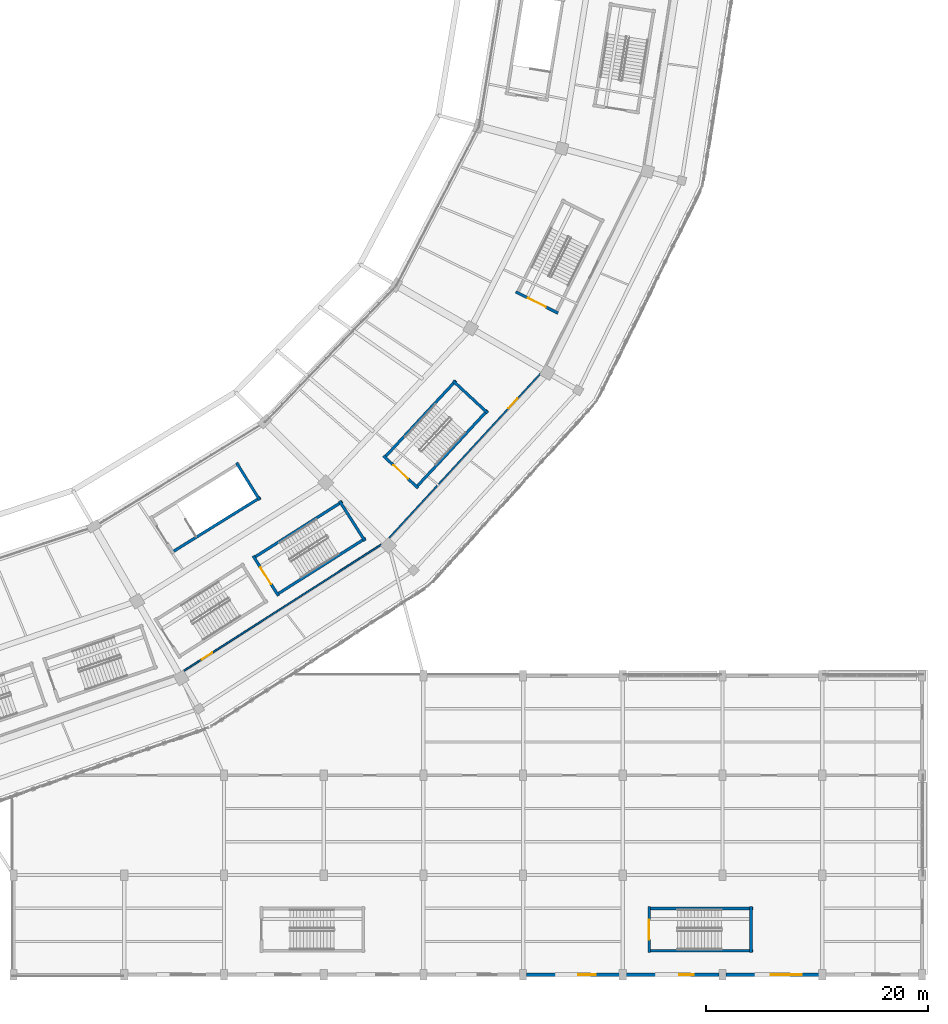
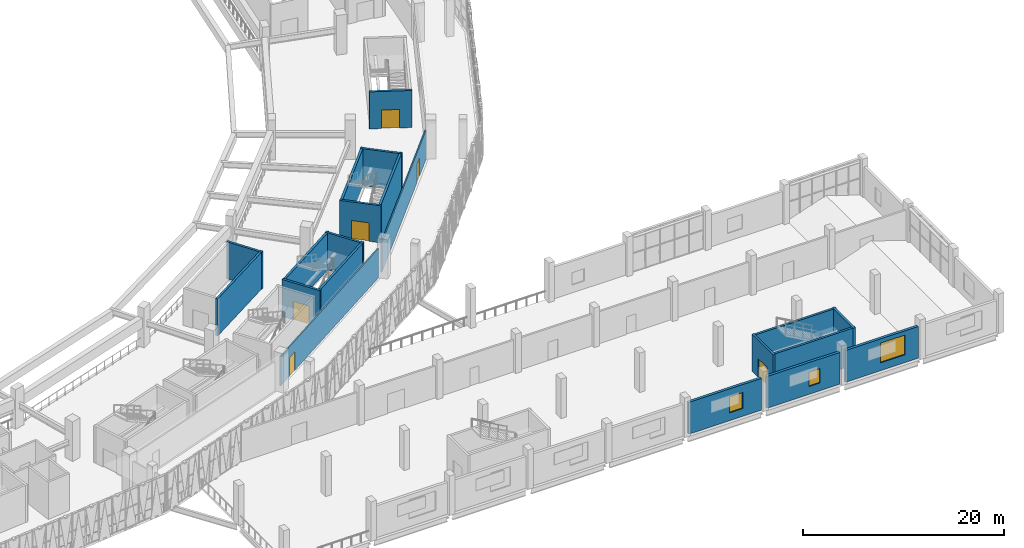
# One storey, part 103 of 179: 20 walls, 6 doors, 3 windows, 9 openings.
"""IFC4 building model written with IfcOpenShell, lengths in metres."""

from ifc_helpers import new_model, si_unit, direction, frame, frame_2d, origin, place, context, subcontext, project, spatial, rectangle, extrude, material, layer, layer_set, type_object, element, fill, save


model = new_model("IFC4")

# Units and contexts
model_context = context("Model", 3, precision=1e-05, world=origin(), true_north=direction((0.0, 1.0)))
body_context = subcontext(model_context, "Body", "Model", "MODEL_VIEW")
ifc_project = project(units=[si_unit("LENGTHUNIT", "METRE"), si_unit("AREAUNIT", "SQUARE_METRE"), si_unit("VOLUMEUNIT", "CUBIC_METRE"), si_unit("PLANEANGLEUNIT", "RADIAN"), si_unit("MASSUNIT", "GRAM", prefix="KILO")], contexts=[model_context])

# Site, building, storey
site_placement = place(None, origin())
site = spatial("IfcSite", under=ifc_project, at=site_placement, CompositionType="ELEMENT")
building_placement = place(site_placement, origin())
building = spatial("IfcBuilding", under=site, at=building_placement, Name="Zevraka Park Crest Stadium", CompositionType="ELEMENT")
storey_placement = place(building_placement, frame((0.0, 0.0, 10.199951171875)))
storey = spatial("IfcBuildingStorey", under=building, at=storey_placement, Name="L02", CompositionType="ELEMENT", Elevation=10.199951171875)

# Wall, opening, window
ifc_material_1 = material(Name="Limestone and red clay brick masonry", Category="masonry")
ifc_layer_1 = layer(ifc_material_1, 0.300048828125)
ifc_layer_set_1 = layer_set([ifc_layer_1], Name="Limestone and red clay brick masonry")
wall_type_1 = type_object("IfcWallType", Name="EW02", PredefinedType="STANDARD", material=ifc_layer_set_1)
wall_1_placement = place(storey_placement, frame((214.699951171875, 0.0, 0.0), z_axis=(0.0, 0.0, 1.0), x_axis=(-1.0, 0.0, 0.0)))
wall_1 = element("IfcWall", 1, at=wall_1_placement, inside=storey, type_object=wall_type_1, Name="Wing External Cavity Wall EW02 L02-SE-S1-2", PredefinedType="STANDARD", context=body_context, shape_type="SweptSolid", body=[
    extrude(rectangle(XDim=8.39990234375, YDim=0.300048828125, at=frame_2d((4.199951171875, 0.0))), origin(), (0.0, 0.0, 1.0), 3.85498046875),
])
opening_1_placement = place(wall_1_placement, frame((1.5400390625, 0.0, 0.949951171875)))
opening_1 = element("IfcOpeningElement", 2, at=opening_1_placement, cuts=wall_1, Name="Opening WN30", PredefinedType="OPENING", context=body_context, shape_type="SweptSolid", body=[
    extrude(rectangle(XDim=2.800048828125, YDim=2.39990234375, at=frame_2d((1.39990234375, 1.199951171875))), frame((0.0, 0.159912109375, 0.0), z_axis=(0.0, -1.0, 0.0), x_axis=(1.0, 0.0, 0.0)), (0.0, 0.0, 1.0), 0.320068359375),
])
ifc_material_2 = material(Name="Solar-control laminated double glazing in aluminium frame", Category="aluminium")
window_type_1 = type_object("IfcWindowType", Name="WN30", PartitioningType="SINGLE_PANEL", PredefinedType="WINDOW", material=ifc_material_2)
window_1_placement = place(opening_1_placement, origin())
window_1 = element("IfcWindow", 3, at=window_1_placement, inside=storey, type_object=window_type_1, Name="Facade Casement Window WN30 W-L02-112", OverallHeight=2.39990234375, OverallWidth=2.800048828125, PartitioningType="SINGLE_PANEL", PredefinedType="WINDOW", context=body_context, shape_type="SweptSolid", body=[
    extrude(rectangle(XDim=2.800048828125, YDim=2.39990234375, at=frame_2d((1.39990234375, 1.199951171875))), frame((0.0, 0.030029296875, 0.0), z_axis=(0.0, -1.0, 0.0), x_axis=(1.0, 0.0, 0.0)), (0.0, 0.0, 1.0), 0.06005859375),
])
fill(opening_1, window_1)

wall_2_placement = place(storey_placement, frame((205.699951171875, 0.0, 0.0), z_axis=(0.0, 0.0, 1.0), x_axis=(-1.0, 0.0, 0.0)))
wall_2 = element("IfcWall", 4, at=wall_2_placement, inside=storey, type_object=wall_type_1, Name="Wing External Cavity Wall EW02 L02-SE-S1-3", PredefinedType="STANDARD", context=body_context, shape_type="SweptSolid", body=[
    extrude(rectangle(XDim=8.39990234375, YDim=0.300048828125, at=frame_2d((4.199951171875, 0.0))), origin(), (0.0, 0.0, 1.0), 3.85498046875),
])
opening_2_placement = place(wall_2_placement, frame((2.2900390625, 0.0, 0.949951171875)))
opening_2 = element("IfcOpeningElement", 5, at=opening_2_placement, cuts=wall_2, Name="Opening WN31", PredefinedType="OPENING", context=body_context, shape_type="SweptSolid", body=[
    extrude(rectangle(XDim=1.300048828125, YDim=1.75, at=frame_2d((0.64990234375, 0.875))), frame((0.0, 0.159912109375, 0.0), z_axis=(0.0, -1.0, 0.0), x_axis=(1.0, 0.0, 0.0)), (0.0, 0.0, 1.0), 0.320068359375),
])
ifc_material_3 = material(Name="Solar-control laminated double glazing in aluminium frame", Category="aluminium")
window_type_2 = type_object("IfcWindowType", Name="WN31", PartitioningType="SINGLE_PANEL", PredefinedType="WINDOW", material=ifc_material_3)
window_2_placement = place(opening_2_placement, origin())
window_2 = element("IfcWindow", 6, at=window_2_placement, inside=storey, type_object=window_type_2, Name="Facade Casement Window WN31 W-L02-113", OverallHeight=1.75, OverallWidth=1.300048828125, PartitioningType="SINGLE_PANEL", PredefinedType="WINDOW", context=body_context, shape_type="SweptSolid", body=[
    extrude(rectangle(XDim=1.300048828125, YDim=1.75, at=frame_2d((0.64990234375, 0.875))), frame((0.0, 0.030029296875, 0.0), z_axis=(0.0, -1.0, 0.0), x_axis=(1.0, 0.0, 0.0)), (0.0, 0.0, 1.0), 0.06005859375),
])
fill(opening_2, window_2)

wall_3_placement = place(storey_placement, frame((196.699951171875, 0.0, 0.0), z_axis=(0.0, 0.0, 1.0), x_axis=(-1.0, 0.0, 0.0)))
wall_3 = element("IfcWall", 7, at=wall_3_placement, inside=storey, type_object=wall_type_1, Name="Wing External Cavity Wall EW02 L02-SE-S1-4", PredefinedType="STANDARD", context=body_context, shape_type="SweptSolid", body=[
    extrude(rectangle(XDim=8.39990234375, YDim=0.300048828125, at=frame_2d((4.199951171875, 0.0))), origin(), (0.0, 0.0, 1.0), 3.85498046875),
])
opening_3_placement = place(wall_3_placement, frame((2.1650390625, 0.0, 0.949951171875)))
opening_3 = element("IfcOpeningElement", 8, at=opening_3_placement, cuts=wall_3, Name="Opening WN32", PredefinedType="OPENING", context=body_context, shape_type="SweptSolid", body=[
    extrude(rectangle(XDim=1.550048828125, YDim=1.949951171875, at=frame_2d((0.77490234375, 0.97509765625))), frame((0.0, 0.159912109375, 0.0), z_axis=(0.0, -1.0, 0.0), x_axis=(1.0, 0.0, 0.0)), (0.0, 0.0, 1.0), 0.320068359375),
])
ifc_material_4 = material(Name="Solar-control laminated double glazing in aluminium frame", Category="aluminium")
window_type_3 = type_object("IfcWindowType", Name="WN32", PartitioningType="SINGLE_PANEL", PredefinedType="WINDOW", material=ifc_material_4)
window_3_placement = place(opening_3_placement, origin())
window_3 = element("IfcWindow", 9, at=window_3_placement, inside=storey, type_object=window_type_3, Name="Facade Casement Window WN32 W-L02-114", OverallHeight=1.949951171875, OverallWidth=1.550048828125, PartitioningType="SINGLE_PANEL", PredefinedType="WINDOW", context=body_context, shape_type="SweptSolid", body=[
    extrude(rectangle(XDim=1.550048828125, YDim=1.949951171875, at=frame_2d((0.77490234375, 0.97509765625))), frame((0.0, 0.030029296875, 0.0), z_axis=(0.0, -1.0, 0.0), x_axis=(1.0, 0.0, 0.0)), (0.0, 0.0, 1.0), 0.06005859375),
])
fill(opening_3, window_3)

# Wall, opening, door
ifc_material_5 = material(Name="Fire-rated twin-stud acoustic drywall", Category="other")
ifc_layer_2 = layer(ifc_material_5, 0.139892578125)
ifc_layer_set_2 = layer_set([ifc_layer_2], Name="Fire-rated twin-stud acoustic drywall")
wall_type_2 = type_object("IfcWallType", Name="IW03", PredefinedType="PARTITIONING", material=ifc_layer_set_2)
wall_4_placement = place(storey_placement, frame((157.3701171875, 27.427001953125, 0.0), z_axis=(0.0, 0.0, 1.0), x_axis=(0.842559137296, 0.538603843431, 0.0)))
wall_4 = element("IfcWall", 10, at=wall_4_placement, inside=storey, type_object=wall_type_2, Name="Interior Partition IW03 Stadium Administration Office L02", PredefinedType="PARTITIONING", context=body_context, shape_type="SweptSolid", body=[
    extrude(rectangle(XDim=21.163818359375, YDim=0.139892578125, at=frame_2d((10.58203125, 0.0))), origin(), (0.0, 0.0, 1.0), 3.56494140625),
])
opening_4_placement = place(wall_4_placement, frame((1.925048828125, 0.0, 0.0)))
opening_4 = element("IfcOpeningElement", 11, at=opening_4_placement, cuts=wall_4, Name="Opening D-L02-414", PredefinedType="OPENING", context=body_context, shape_type="SweptSolid", body=[
    extrude(rectangle(XDim=1.1201171875, YDim=2.25, at=frame_2d((0.56005859375, 1.125))), frame((0.0, 0.079833984375, 0.0), z_axis=(0.0, -1.0, 0.0), x_axis=(1.0, 0.0, 0.0)), (0.0, 0.0, 1.0), 0.159912109375),
])
ifc_material_6 = material(Name="Solid-core hardwood timber leaf in steel frame", Category="steel")
door_type_1 = type_object("IfcDoorType", Name="DR23", OperationType="NOTDEFINED", PredefinedType="DOOR", material=ifc_material_6)
door_1_placement = place(opening_4_placement, origin())
door_1 = element("IfcDoor", 12, at=door_1_placement, inside=storey, type_object=door_type_1, Name="Stadium Administration Office Door D-L02-414", OperationType="SINGLE_SWING_RIGHT", OverallHeight=2.25, OverallWidth=1.1201171875, PredefinedType="DOOR", context=body_context, shape_type="SweptSolid", body=[
    extrude(rectangle(XDim=1.1201171875, YDim=2.25, at=frame_2d((0.56005859375, 1.125))), frame((0.0, 0.02490234375, 0.0), z_axis=(0.0, -1.0, 0.0), x_axis=(1.0, 0.0, 0.0)), (0.0, 0.0, 1.0), 0.050048828125),
])
fill(opening_4, door_1)

wall_5_placement = place(storey_placement, frame((175.90087890625, 39.427001953125, 0.0), z_axis=(0.0, 0.0, 1.0), x_axis=(0.677448860536, 0.735569875239, 0.0)))
wall_5 = element("IfcWall", 13, at=wall_5_placement, inside=storey, type_object=wall_type_2, Name="Interior Partition IW03 Stadium Administration Office L02", PredefinedType="PARTITIONING", context=body_context, shape_type="SweptSolid", body=[
    extrude(rectangle(XDim=20.16259765625, YDim=0.139892578125, at=frame_2d((10.081298828125, 0.0))), origin(), (0.0, 0.0, 1.0), 3.56494140625),
])
opening_5_placement = place(wall_5_placement, frame((15.909912109375, 0.0, 0.0)))
opening_5 = element("IfcOpeningElement", 14, at=opening_5_placement, cuts=wall_5, Name="Opening D-L02-415", PredefinedType="OPENING", context=body_context, shape_type="SweptSolid", body=[
    extrude(rectangle(XDim=1.179931640625, YDim=2.25, at=frame_2d((0.58984375, 1.125))), frame((0.0, 0.079833984375, 0.0), z_axis=(0.0, -1.0, 0.0), x_axis=(1.0, 0.0, 0.0)), (0.0, 0.0, 1.0), 0.159912109375),
])
ifc_material_7 = material(Name="Solid-core hardwood timber leaf in steel frame", Category="steel")
door_type_2 = type_object("IfcDoorType", Name="DR24", OperationType="NOTDEFINED", PredefinedType="DOOR", material=ifc_material_7)
door_2_placement = place(opening_5_placement, origin())
door_2 = element("IfcDoor", 15, at=door_2_placement, inside=storey, type_object=door_type_2, Name="Stadium Administration Office Door D-L02-415", OperationType="SINGLE_SWING_LEFT", OverallHeight=2.25, OverallWidth=1.179931640625, PredefinedType="DOOR", context=body_context, shape_type="SweptSolid", body=[
    extrude(rectangle(XDim=1.179931640625, YDim=2.25, at=frame_2d((0.58984375, 1.125))), frame((0.0, 0.02490234375, 0.0), z_axis=(0.0, -1.0, 0.0), x_axis=(1.0, 0.0, 0.0)), (0.0, 0.0, 1.0), 0.050048828125),
])
fill(opening_5, door_2)

# Walls
ifc_material_8 = material(Name="Concrete C40/50", Category="concrete")
ifc_layer_3 = layer(ifc_material_8, 0.25)
ifc_layer_set_3 = layer_set([ifc_layer_3], Name="Concrete C40/50")
wall_type_3 = type_object("IfcWallType", Name="SW01", PredefinedType="SHEAR", material=ifc_layer_set_3)
wall_6_placement = place(storey_placement, frame((178.3056640625, 43.952392578125, 0.0), z_axis=(0.0, 0.0, 1.0), x_axis=(0.680257902718, 0.7329728411, 0.0)))
element("IfcWall", 16, at=wall_6_placement, inside=storey, type_object=wall_type_3, Name="Stair Core Shear Wall SW01 ST22 L02 left", PredefinedType="SHEAR", context=body_context, shape_type="SweptSolid", body=[
    extrude(rectangle(XDim=9.5498046875, YDim=0.25, at=frame_2d((4.77490234375, 0.0))), origin(), (0.0, 0.0, 1.0), 4.5),
])
wall_7_placement = place(storey_placement, frame((181.9287109375, 53.618896484375, 0.0), z_axis=(0.0, 0.0, 1.0), x_axis=(-0.680245155897, -0.732984670971, 0.0)))
element("IfcWall", 17, at=wall_7_placement, inside=storey, type_object=wall_type_3, Name="Stair Core Shear Wall SW01 ST22 L02 right", PredefinedType="SHEAR", context=body_context, shape_type="SweptSolid", body=[
    extrude(rectangle(XDim=9.550048828125, YDim=0.25, at=frame_2d((4.77490234375, 0.0))), origin(), (0.0, 0.0, 1.0), 4.5),
])

# Wall, opening, door
wall_8_placement = place(storey_placement, frame((175.392822265625, 46.826171875, 0.0), z_axis=(0.0, 0.0, 1.0), x_axis=(0.73295064559, -0.680281817433, 0.0)))
wall_8 = element("IfcWall", 18, at=wall_8_placement, inside=storey, type_object=wall_type_3, Name="Stair Core Shear Wall SW01 ST22 L02 near", PredefinedType="SHEAR", context=body_context, shape_type="SweptSolid", body=[
    extrude(rectangle(XDim=4.260009765625, YDim=0.25, at=frame_2d((2.1298828125, 0.0))), origin(), (0.0, 0.0, 1.0), 4.5),
])
opening_6_placement = place(wall_8_placement, frame((1.22998046875, 0.0, 0.0)))
opening_6 = element("IfcOpeningElement", 19, at=opening_6_placement, cuts=wall_8, Name="Opening D-L02-132", PredefinedType="OPENING", context=body_context, shape_type="SweptSolid", body=[
    extrude(rectangle(XDim=1.800048828125, YDim=2.25, at=frame_2d((0.89990234375, 1.125))), frame((0.0, 0.135009765625, 0.0), z_axis=(0.0, -1.0, 0.0), x_axis=(1.0, 0.0, 0.0)), (0.0, 0.0, 1.0), 0.27001953125),
])
ifc_material_9 = material(Name="Solid-core hardwood timber leaf in steel frame", Category="steel")
door_type_3 = type_object("IfcDoorType", Name="DR04", OperationType="NOTDEFINED", PredefinedType="DOOR", material=ifc_material_9)
door_3_placement = place(opening_6_placement, origin())
door_3 = element("IfcDoor", 20, at=door_3_placement, inside=storey, type_object=door_type_3, Name="Protected Stair Entry Door ST22 L02", OperationType="DOUBLE_DOOR_SINGLE_SWING", OverallHeight=2.25, OverallWidth=1.800048828125, PredefinedType="DOOR", context=body_context, shape_type="SweptSolid", body=[
    extrude(rectangle(XDim=1.800048828125, YDim=2.25, at=frame_2d((0.89990234375, 1.125))), frame((0.0, 0.02490234375, 0.0), z_axis=(0.0, -1.0, 0.0), x_axis=(1.0, 0.0, 0.0)), (0.0, 0.0, 1.0), 0.050048828125),
])
fill(opening_6, door_3)

# Wall
wall_9_placement = place(storey_placement, frame((184.80078125, 50.700927734375, 0.0), z_axis=(0.0, 0.0, 1.0), x_axis=(-0.732977166505, 0.680253242096, 0.0)))
element("IfcWall", 21, at=wall_9_placement, inside=storey, type_object=wall_type_3, Name="Stair Core Shear Wall SW01 ST22 L02 far", PredefinedType="SHEAR", context=body_context, shape_type="SweptSolid", body=[
    extrude(rectangle(XDim=4.260009765625, YDim=0.25, at=frame_2d((2.1298828125, 0.0))), origin(), (0.0, 0.0, 1.0), 4.5),
])

# Wall, opening, door
wall_10_placement = place(storey_placement, frame((187.335693359375, 61.63037109375, 0.0), z_axis=(0.0, 0.0, 1.0), x_axis=(0.894071595331, -0.447924081092, 0.0)))
wall_10 = element("IfcWall", 22, at=wall_10_placement, inside=storey, type_object=wall_type_3, Name="Stair Core Shear Wall SW01 ST23 L02 near", PredefinedType="SHEAR", context=body_context, shape_type="SweptSolid", body=[
    extrude(rectangle(XDim=4.260009765625, YDim=0.25, at=frame_2d((2.1298828125, 0.0))), origin(), (0.0, 0.0, 1.0), 4.5),
])
opening_7_placement = place(wall_10_placement, frame((1.22998046875, 0.0, 0.0)))
opening_7 = element("IfcOpeningElement", 23, at=opening_7_placement, cuts=wall_10, Name="Opening D-L02-137", PredefinedType="OPENING", context=body_context, shape_type="SweptSolid", body=[
    extrude(rectangle(XDim=1.800048828125, YDim=2.25, at=frame_2d((0.89990234375, 1.125))), frame((0.0, 0.135009765625, 0.0), z_axis=(0.0, -1.0, 0.0), x_axis=(1.0, 0.0, 0.0)), (0.0, 0.0, 1.0), 0.27001953125),
])
door_4_placement = place(opening_7_placement, origin())
door_4 = element("IfcDoor", 24, at=door_4_placement, inside=storey, type_object=door_type_3, Name="Protected Stair Entry Door ST23 L02", OperationType="DOUBLE_DOOR_SINGLE_SWING", OverallHeight=2.25, OverallWidth=1.800048828125, PredefinedType="DOOR", context=body_context, shape_type="SweptSolid", body=[
    extrude(rectangle(XDim=1.800048828125, YDim=2.25, at=frame_2d((0.89990234375, 1.125))), frame((0.0, 0.02490234375, 0.0), z_axis=(0.0, -1.0, 0.0), x_axis=(1.0, 0.0, 0.0)), (0.0, 0.0, 1.0), 0.050048828125),
])
fill(opening_7, door_4)

# Walls
for number, where, z_axis, x_axis, name in (
    (25, (165.71875, 34.281494140625, 0.0), (0.0, 0.0, 1.0), (0.844391246241, 0.535727004427, 0.0), "Stair Core Shear Wall SW01 ST32 L02 left"),
    (26, (171.6826171875, 42.707763671875, 0.0), (0.0, 0.0, 1.0), (-0.844391246241, -0.535727004427, 0.0), "Stair Core Shear Wall SW01 ST32 L02 right"),
):
    element("IfcWall", number, at=place(storey_placement, frame(where, z_axis=z_axis, x_axis=x_axis)), inside=storey, type_object=wall_type_3, Name=name, PredefinedType="SHEAR", context=body_context, shape_type="SweptSolid", body=[
        extrude(rectangle(XDim=9.550048828125, YDim=0.25, at=frame_2d((4.77490234375, 0.0))), origin(), (0.0, 0.0, 1.0), 4.5),
    ])

# Wall, opening, door
wall_11_placement = place(storey_placement, frame((163.63330078125, 37.802001953125, 0.0), z_axis=(0.0, 0.0, 1.0), x_axis=(0.535684577572, -0.844418162613, 0.0)))
wall_11 = element("IfcWall", 27, at=wall_11_placement, inside=storey, type_object=wall_type_3, Name="Stair Core Shear Wall SW01 ST32 L02 near", PredefinedType="SHEAR", context=body_context, shape_type="SweptSolid", body=[
    extrude(rectangle(XDim=4.260009765625, YDim=0.25, at=frame_2d((2.1298828125, 0.0))), origin(), (0.0, 0.0, 1.0), 4.5),
])
opening_8_placement = place(wall_11_placement, frame((1.22998046875, 0.0, 0.0)))
opening_8 = element("IfcOpeningElement", 28, at=opening_8_placement, cuts=wall_11, Name="Opening D-L02-183", PredefinedType="OPENING", context=body_context, shape_type="SweptSolid", body=[
    extrude(rectangle(XDim=1.800048828125, YDim=2.25, at=frame_2d((0.89990234375, 1.125))), frame((0.0, 0.135009765625, 0.0), z_axis=(0.0, -1.0, 0.0), x_axis=(1.0, 0.0, 0.0)), (0.0, 0.0, 1.0), 0.27001953125),
])
door_5_placement = place(opening_8_placement, origin())
door_5 = element("IfcDoor", 29, at=door_5_placement, inside=storey, type_object=door_type_3, Name="Protected Stair Entry Door ST32 L02", OperationType="DOUBLE_DOOR_SINGLE_SWING", OverallHeight=2.25, OverallWidth=1.800048828125, PredefinedType="DOOR", context=body_context, shape_type="SweptSolid", body=[
    extrude(rectangle(XDim=1.800048828125, YDim=2.25, at=frame_2d((0.89990234375, 1.125))), frame((0.0, 0.02490234375, 0.0), z_axis=(0.0, -1.0, 0.0), x_axis=(1.0, 0.0, 0.0)), (0.0, 0.0, 1.0), 0.050048828125),
])
fill(opening_8, door_5)

# Walls
wall_12_placement = place(storey_placement, frame((173.717529296875, 39.155029296875, 0.0), z_axis=(0.0, 0.0, 1.0), x_axis=(-0.535684577572, 0.844418162613, 0.0)))
element("IfcWall", 30, at=wall_12_placement, inside=storey, type_object=wall_type_3, Name="Stair Core Shear Wall SW01 ST32 L02 far", PredefinedType="SHEAR", context=body_context, shape_type="SweptSolid", body=[
    extrude(rectangle(XDim=4.260009765625, YDim=0.25, at=frame_2d((2.1298828125, 0.0))), origin(), (0.0, 0.0, 1.0), 4.5),
])
wall_13_placement = place(storey_placement, frame((156.2578125, 38.101318359375, 0.0), z_axis=(0.0, 0.0, 1.0), x_axis=(0.849696444565, 0.527272180277, 0.0)))
element("IfcWall", 31, at=wall_13_placement, inside=storey, type_object=wall_type_3, Name="Stair Core Shear Wall SW01 ST43 L02 left", PredefinedType="SHEAR", context=body_context, shape_type="SweptSolid", body=[
    extrude(rectangle(XDim=9.449951171875, YDim=0.25, at=frame_2d((4.72509765625, 0.0))), origin(), (0.0, 0.0, 1.0), 4.5),
])
wall_14_placement = place(storey_placement, frame((164.2197265625, 42.842041015625, 0.0), z_axis=(0.0, 0.0, 1.0), x_axis=(-0.527258497125, 0.84970493538, 0.0)))
element("IfcWall", 32, at=wall_14_placement, inside=storey, type_object=wall_type_3, Name="Stair Core Shear Wall SW01 ST43 L02 far", PredefinedType="SHEAR", context=body_context, shape_type="SweptSolid", body=[
    extrude(rectangle(XDim=3.9599609375, YDim=0.25, at=frame_2d((1.97998046875, 0.0))), origin(), (0.0, 0.0, 1.0), 4.5),
])
for number, where, z_axis, x_axis, name in (
    (33, (199.25, 2.169921875, 0.0), (0.0, 0.0, 1.0), (1.0, 0.0, 0.0), "Stair Core Shear Wall SW01 ST54 L02 left"),
    (34, (208.75, 5.989990234375, 0.0), (0.0, 0.0, 1.0), (-1.0, 0.0, 0.0), "Stair Core Shear Wall SW01 ST54 L02 right"),
):
    element("IfcWall", number, at=place(storey_placement, frame(where, z_axis=z_axis, x_axis=x_axis)), inside=storey, type_object=wall_type_3, Name=name, PredefinedType="SHEAR", context=body_context, shape_type="SweptSolid", body=[
        extrude(rectangle(XDim=9.5, YDim=0.25, at=frame_2d((4.75, 0.0))), origin(), (0.0, 0.0, 1.0), 4.5),
    ])

# Wall, opening, door
wall_15_placement = place(storey_placement, frame((199.375, 6.159912109375, 0.0), z_axis=(0.0, 0.0, 1.0), x_axis=(0.0, -1.0, 0.0)))
wall_15 = element("IfcWall", 35, at=wall_15_placement, inside=storey, type_object=wall_type_3, Name="Stair Core Shear Wall SW01 ST54 L02 near", PredefinedType="SHEAR", context=body_context, shape_type="SweptSolid", body=[
    extrude(rectangle(XDim=4.159912109375, YDim=0.25, at=frame_2d((2.080078125, 0.0))), origin(), (0.0, 0.0, 1.0), 4.5),
])
opening_9_placement = place(wall_15_placement, frame((1.179931640625, 0.0, 0.0)))
opening_9 = element("IfcOpeningElement", 36, at=opening_9_placement, cuts=wall_15, Name="Opening D-L02-281", PredefinedType="OPENING", context=body_context, shape_type="SweptSolid", body=[
    extrude(rectangle(XDim=1.800048828125, YDim=2.25, at=frame_2d((0.89990234375, 1.125))), frame((0.0, 0.135009765625, 0.0), z_axis=(0.0, -1.0, 0.0), x_axis=(1.0, 0.0, 0.0)), (0.0, 0.0, 1.0), 0.27001953125),
])
door_6_placement = place(opening_9_placement, origin())
door_6 = element("IfcDoor", 37, at=door_6_placement, inside=storey, type_object=door_type_3, Name="Protected Stair Entry Door ST54 L02", OperationType="DOUBLE_DOOR_SINGLE_SWING", OverallHeight=2.25, OverallWidth=1.800048828125, PredefinedType="DOOR", context=body_context, shape_type="SweptSolid", body=[
    extrude(rectangle(XDim=1.800048828125, YDim=2.25, at=frame_2d((0.89990234375, 1.125))), frame((0.0, 0.02490234375, 0.0), z_axis=(0.0, -1.0, 0.0), x_axis=(1.0, 0.0, 0.0)), (0.0, 0.0, 1.0), 0.050048828125),
])
fill(opening_9, door_6)

# Wall
wall_16_placement = place(storey_placement, frame((208.56494140625, 2.0, 0.0), z_axis=(0.0, 0.0, 1.0), x_axis=(0.0, 1.0, 0.0)))
element("IfcWall", 38, at=wall_16_placement, inside=storey, type_object=wall_type_3, Name="Stair Core Shear Wall SW01 ST54 L02 far", PredefinedType="SHEAR", context=body_context, shape_type="SweptSolid", body=[
    extrude(rectangle(XDim=4.159912109375, YDim=0.25, at=frame_2d((2.080078125, 0.0))), origin(), (0.0, 0.0, 1.0), 4.5),
])

save(model, "model.ifc")
